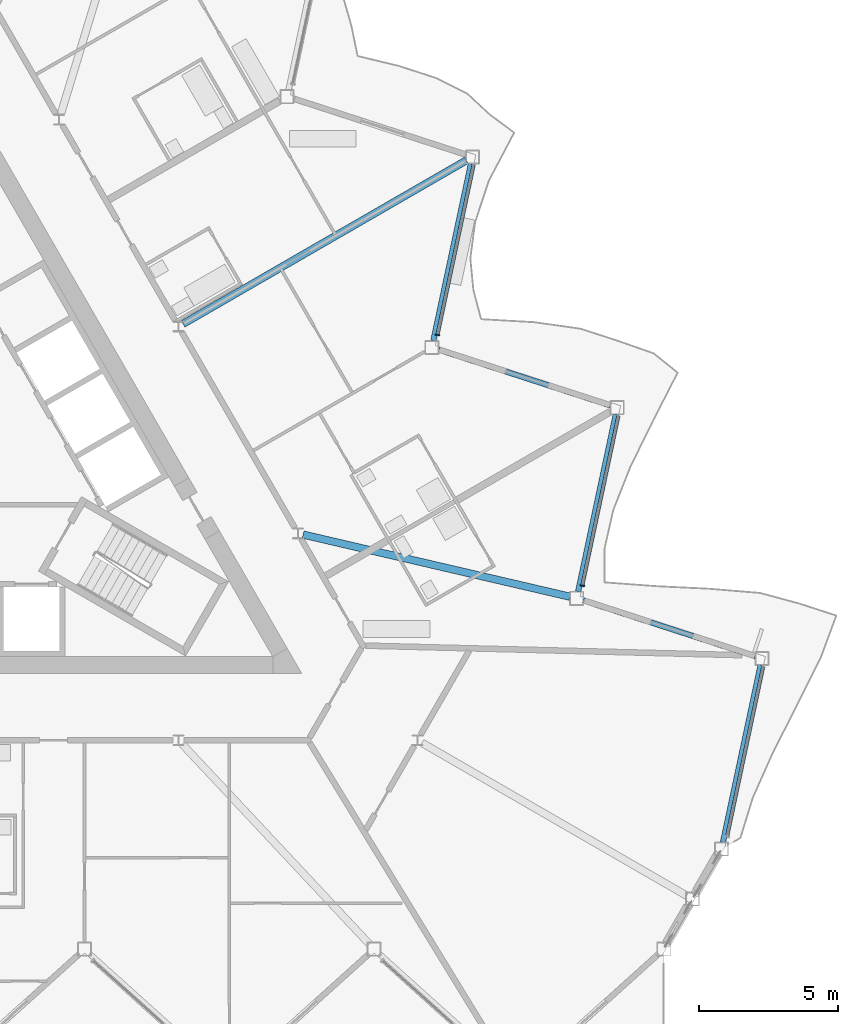
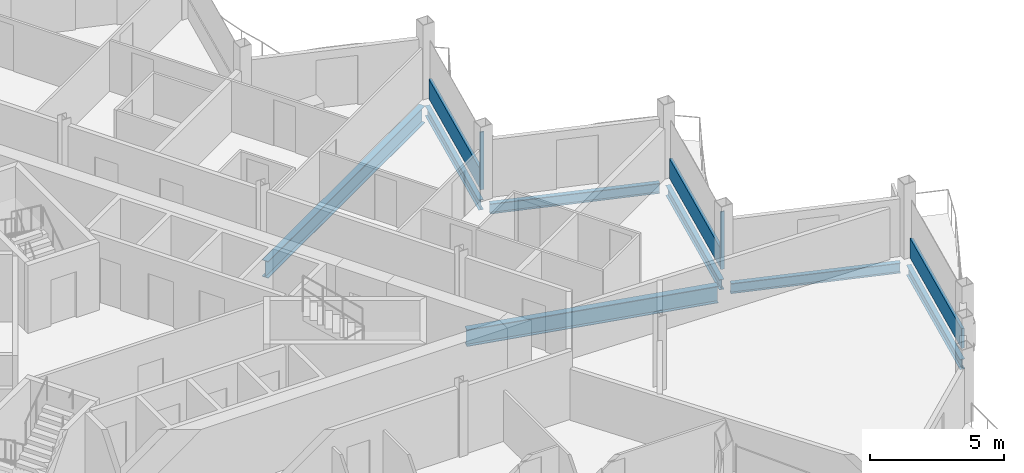
# One storey, part 8 of 26: 7 beams, 5 members, 3 elements without a shape of their own.
"""IFC4 building model written with IfcOpenShell, lengths in metres."""

import ifcopenshell
import ifcopenshell.guid

model = None  # the IFC model being written
_history = None  # IfcOwnerHistory: only IFC2X3 demands one
_inside = {}  # id of a spatial element -> (the spatial element, [elements in it])
_under = {}  # id of a project, library or spatial element -> (it, [spatial elements below it])
_declared = {}  # id of a project -> (the project, [libraries it declares])
_typed = {}  # id of a type object -> (the type object, [elements of that type])
_made_of = {}  # id of a material, layer set ... -> (it, [elements and type objects made of it])


def new_model(schema):
    """Start an empty IFC model of exactly this schema.

    Asked for "IFC4X3", IfcOpenShell would pick the latest addendum, in which some entities
    have other attributes; the version numbers below select the first issue.
    IFC2X3 requires an IfcOwnerHistory on every rooted entity: one is made here for all.
    """
    global model, _history
    if schema == "IFC4X3":
        model = ifcopenshell.file(schema_version=(4, 3, 0, 0))
    else:
        model = ifcopenshell.file(schema=schema)
    _inside.clear()
    _under.clear()
    _declared.clear()
    _typed.clear()
    _made_of.clear()
    _history = None
    if model.schema == "IFC2X3":
        org = make("IfcOrganization", Name="unknown")
        user = make(
            "IfcPersonAndOrganization",
            ThePerson=make("IfcPerson", FamilyName="unknown"),
            TheOrganization=org,
        )
        app = make(
            "IfcApplication",
            ApplicationDeveloper=org,
            Version="unknown",
            ApplicationFullName="unknown",
            ApplicationIdentifier="unknown",
        )
        _history = make(
            "IfcOwnerHistory",
            OwningUser=user,
            OwningApplication=app,
            ChangeAction="ADDED",
            CreationDate=0,
        )
    return model


def make(cls, **values):
    """One entity of the class cls with the attributes given. An attribute that is None is left unset."""
    return model.create_entity(
        cls, **{name: value for name, value in values.items() if value is not None}
    )


def rooted(cls, **values):
    """An entity with a GlobalId (a new one), such as an element, a storey or a relation."""
    return make(cls, GlobalId=ifcopenshell.guid.new(), OwnerHistory=_history, **values)


def si_unit(unit_type, name, prefix=None):
    """IfcSIUnit, for example si_unit("LENGTHUNIT", "METRE", prefix="MILLI")."""
    return make("IfcSIUnit", UnitType=unit_type, Prefix=prefix, Name=name)


def assignment(units):
    """IfcUnitAssignment: the units of a project."""
    return None if units is None else make("IfcUnitAssignment", Units=units)


def point(xyz):
    """IfcCartesianPoint."""
    return None if xyz is None else make("IfcCartesianPoint", Coordinates=xyz)


def direction(xyz):
    """IfcDirection."""
    return None if xyz is None else make("IfcDirection", DirectionRatios=xyz)


def frame(location, z_axis=None, x_axis=None):
    """IfcAxis2Placement3D, a coordinate frame: its origin and axes. An axis left out is left unset."""
    return make(
        "IfcAxis2Placement3D",
        Location=point(location),
        Axis=direction(z_axis),
        RefDirection=direction(x_axis),
    )


def frame_2d(location, x_axis=None):
    """IfcAxis2Placement2D, a coordinate frame in the plane: its origin and x axis."""
    return make(
        "IfcAxis2Placement2D", Location=point(location), RefDirection=direction(x_axis)
    )


def origin():
    """The frame at (0, 0, 0) with its axes left unset."""
    return frame((0.0, 0.0, 0.0))


def origin_2d():
    """The frame at (0, 0) in the plane with its x axis left unset."""
    return frame_2d((0.0, 0.0))


def place(relative_to, where):
    """IfcLocalPlacement: puts the frame where relative to a parent placement (None: the world)."""
    return make(
        "IfcLocalPlacement", PlacementRelTo=relative_to, RelativePlacement=where
    )


def context(
    kind, dimensions, precision=None, world=None, true_north=None, identifier=None
):
    """IfcGeometricRepresentationContext, for example the 3D "Model" context."""
    return make(
        "IfcGeometricRepresentationContext",
        ContextIdentifier=identifier,
        ContextType=kind,
        CoordinateSpaceDimension=dimensions,
        Precision=precision,
        WorldCoordinateSystem=world,
        TrueNorth=true_north,
    )


def subcontext(parent, identifier, kind, view, scale=None):
    """IfcGeometricRepresentationSubContext, for example "Body" below "Model"."""
    return make(
        "IfcGeometricRepresentationSubContext",
        ContextIdentifier=identifier,
        ContextType=kind,
        ParentContext=parent,
        TargetScale=scale,
        TargetView=view,
    )


def project(units=None, contexts=None):
    """IfcProject with its units and contexts."""
    return rooted(
        "IfcProject",
        Name="project",
        RepresentationContexts=contexts,
        UnitsInContext=assignment(units),
    )


def spatial(cls, under=None, at=None, **own):
    """A site, building, storey or space (cls), placed at a placement, below another one or the project."""
    s = rooted(cls, ObjectPlacement=at, **own)
    if under is not None:
        _under.setdefault(under.id(), (under, []))[1].append(s)
    return s


def profile(cls, at=None, kind="AREA", **sizes):
    """A parametric profile (cls). Its sizes go by their IFC names, for example OverallWidth=200.0."""
    return make(cls, ProfileType=kind, Position=at, **sizes)


def rectangle(**sizes):
    """IfcRectangleProfileDef."""
    return profile("IfcRectangleProfileDef", **sizes)


def i_section(**sizes):
    """IfcIShapeProfileDef."""
    return profile("IfcIShapeProfileDef", **sizes)


def extrude(swept, where, along, depth):
    """IfcExtrudedAreaSolid: the profile swept, set in the frame where, extruded along a direction by depth."""
    return make(
        "IfcExtrudedAreaSolid",
        SweptArea=swept,
        Position=where,
        ExtrudedDirection=direction(along),
        Depth=depth,
    )


def shape(context_of_items, identifier, shape_type, items):
    """IfcShapeRepresentation: the items that make up one representation, for example the "Body"."""
    return make(
        "IfcShapeRepresentation",
        ContextOfItems=context_of_items,
        RepresentationIdentifier=identifier,
        RepresentationType=shape_type,
        Items=items,
    )


def material(Name=None, Category=None):
    """IfcMaterial."""
    return make("IfcMaterial", Name=Name, Category=Category)


def layer(
    of_material, thickness, ventilated=None, Name=None, Category=None, Priority=None
):
    """IfcMaterialLayer: one layer of a wall or slab, of a material (None: an air gap)."""
    return make(
        "IfcMaterialLayer",
        Material=of_material,
        LayerThickness=thickness,
        IsVentilated=ventilated,
        Name=Name,
        Category=Category,
        Priority=Priority,
    )


def layer_set(layers, Name=None):
    """IfcMaterialLayerSet."""
    return make("IfcMaterialLayerSet", MaterialLayers=layers, LayerSetName=Name)


def material_profile(
    of_material, cross_section, Name=None, Category=None, Priority=None
):
    """IfcMaterialProfile: a cross section and its material."""
    return make(
        "IfcMaterialProfile",
        Name=Name,
        Material=of_material,
        Profile=cross_section,
        Priority=Priority,
        Category=Category,
    )


def profile_set(profiles, Name=None, composite=None):
    """IfcMaterialProfileSet."""
    return make(
        "IfcMaterialProfileSet",
        Name=Name,
        MaterialProfiles=profiles,
        CompositeProfile=composite,
    )


def made_of(thing, what):
    """Note that an element or type object is made of a material, layer set ...; save() writes the relation."""
    if what is not None:
        _made_of.setdefault(what.id(), (what, []))[1].append(thing)
    return thing


def type_object(cls, material=None, **own):
    """A type object (cls), such as IfcWallType, which elements share."""
    return made_of(rooted(cls, **own), material)


def element(
    cls,
    number,
    at=None,
    inside=None,
    cuts=None,
    type_object=None,
    material=None,
    context=None,
    identifier="Body",
    shape_type=None,
    held_by="IfcProductDefinitionShape",
    body=None,
    shapes=None,
    **own,
):
    """One element of the class cls, such as IfcWall. Its Tag is "e" and its number.

    at: its placement. inside: the storey or other place that contains it. cuts: it is an
    opening in that element (IfcRelVoidsElement). A single representation is given by context,
    identifier, shape_type and body (its items); several are given by shapes. held_by: the class
    of the entity that holds the representations. save() writes the other relations.
    """
    e = rooted(cls, Tag="e%d" % number, ObjectPlacement=at, **own)
    if body is not None:
        shapes = [shape(context, identifier, shape_type, body)]
    if shapes is not None:
        e.Representation = make(held_by, Representations=shapes)
    if inside is not None:
        _inside.setdefault(inside.id(), (inside, []))[1].append(e)
    if cuts is not None:
        rooted(
            "IfcRelVoidsElement", RelatingBuildingElement=cuts, RelatedOpeningElement=e
        )
    if type_object is not None:
        _typed.setdefault(type_object.id(), (type_object, []))[1].append(e)
    return made_of(e, material)


def aggregate(whole, parts):
    """IfcRelAggregates: a whole, such as a stair, and the parts it consists of."""
    return rooted("IfcRelAggregates", RelatingObject=whole, RelatedObjects=parts)


def save(model, path):
    """Write the relations noted so far, then the file.

    IfcRelAggregates (storeys below a building ...), IfcRelContainedInSpatialStructure (elements
    in a storey), IfcRelDefinesByType, IfcRelAssociatesMaterial and IfcRelDeclares: one each for
    every whole, place, type object, material and project.
    """
    for whole, parts in _under.values():
        aggregate(whole, parts)
    for where, things in _inside.values():
        rooted(
            "IfcRelContainedInSpatialStructure",
            RelatedElements=things,
            RelatingStructure=where,
        )
    for kind, things in _typed.values():
        rooted("IfcRelDefinesByType", RelatedObjects=things, RelatingType=kind)
    for what, things in _made_of.values():
        rooted("IfcRelAssociatesMaterial", RelatedObjects=things, RelatingMaterial=what)
    for by, libraries in _declared.values():
        rooted("IfcRelDeclares", RelatingContext=by, RelatedDefinitions=libraries)
    model.write(path)


model = new_model("IFC4")

# Units and contexts
model_context = context("Model", 3, precision=1e-05, world=origin(), true_north=direction((0.0, 1.0)))
body_context = subcontext(model_context, "Body", "Model", "MODEL_VIEW")
ifc_project = project(units=[si_unit("LENGTHUNIT", "METRE"), si_unit("AREAUNIT", "SQUARE_METRE"), si_unit("VOLUMEUNIT", "CUBIC_METRE"), si_unit("PLANEANGLEUNIT", "RADIAN"), si_unit("MASSUNIT", "GRAM", prefix="KILO")], contexts=[model_context])

# Site, building, storey
site_placement = place(None, origin())
site = spatial("IfcSite", under=ifc_project, at=site_placement, CompositionType="ELEMENT")
building_placement = place(site_placement, origin())
building = spatial("IfcBuilding", under=site, at=building_placement, Name="Cormorant Prow Tower", CompositionType="ELEMENT")
storey_placement = place(building_placement, frame((0.0, 0.0, 398.39990234375)))
storey = spatial("IfcBuildingStorey", under=building, at=storey_placement, Name="L91", CompositionType="ELEMENT", Elevation=398.39990234375)

# Beams
ifc_material_1 = material(Name="Structural steel ASTM A992 Gr 50", Category="steel")
ifc_material_profile_1 = material_profile(ifc_material_1, i_section(OverallWidth=0.267822265625, OverallDepth=0.77001953125, WebThickness=0.015625, FlangeThickness=0.025390625, at=origin_2d()), Name="W30x132")
ifc_profile_set_1 = profile_set([ifc_material_profile_1], Name="Structural steel ASTM A992 Gr 50")
beam_type_1 = type_object("IfcBeamType", Name="Radial floor beam W30x132", PredefinedType="BEAM", material=ifc_profile_set_1)
beam_1_placement = place(storey_placement, frame((13.0498046875, -2.518798828125, -0.684814453125), z_axis=(0.973926084128, -0.226865560752, 0.0), x_axis=(0.226865560752, 0.973926084128, 0.0)))
element("IfcBeam", 1, at=beam_1_placement, inside=storey, type_object=beam_type_1, Name="Radial floor beam FB3 10 L91", PredefinedType="BEAM", context=body_context, shape_type="SweptSolid", body=[
    extrude(i_section(OverallWidth=0.267822265625, OverallDepth=0.77001953125, WebThickness=0.015625, FlangeThickness=0.025390625, at=origin_2d()), origin(), (0.0, 0.0, 1.0), 9.837158203125),
])
beam_2_placement = place(storey_placement, frame((8.740478515625, 5.04638671875, -0.684814453125), z_axis=(0.866026702285, 0.499997750924, 0.0), x_axis=(-0.499997750924, 0.866026702285, 0.0)))
element("IfcBeam", 2, at=beam_2_placement, inside=storey, type_object=beam_type_1, Name="Radial floor beam FB3 11 L91", PredefinedType="BEAM", context=body_context, shape_type="SweptSolid", body=[
    extrude(i_section(OverallWidth=0.267822265625, OverallDepth=0.77001953125, WebThickness=0.015625, FlangeThickness=0.025390625, at=origin_2d()), origin(), (0.0, 0.0, 1.0), 11.7451171875),
])

# Curtain wall, member
ifc_material_2 = material(Name="Aluminium 6063-T6", Category="aluminium")
ifc_layer = layer(ifc_material_2, 0.159912109375)
ifc_layer_set = layer_set([ifc_layer], Name="Aluminium 6063-T6")
curtain_wall_type = type_object("IfcCurtainWallType", Name="Residential unitised curtain wall 160", PredefinedType="NOTDEFINED", material=ifc_layer_set)
curtain_wall_1_placement = place(storey_placement, origin())
curtain_wall_1 = element("IfcCurtainWall", 3, at=curtain_wall_1_placement, inside=storey, type_object=curtain_wall_type, Name="Residential curtain wall ENE02", PredefinedType="NOTDEFINED")
ifc_material_3 = material(Name="Aluminium 6063-T6", Category="aluminium")
ifc_material_profile_2 = material_profile(ifc_material_3, rectangle(XDim=0.159912109375, YDim=0.050048828125, at=origin_2d()), Name="Residential mullion 50x160")
ifc_profile_set_2 = profile_set([ifc_material_profile_2], Name="Aluminium 6063-T6")
member_type_1 = type_object("IfcMemberType", Name="Residential mullion 50x160", PredefinedType="MULLION", material=ifc_profile_set_2)
member_1_placement = place(storey_placement, frame((23.0791015625, -4.35302734375, 0.0), z_axis=(0.0, 0.0, 1.0), x_axis=(-0.978147609588, 0.207911649162, 0.0)))
member_1 = element("IfcMember", 4, at=member_1_placement, type_object=member_type_1, Name="Residential mullion ENE02", PredefinedType="MULLION", context=body_context, shape_type="SweptSolid", body=[
    extrude(rectangle(XDim=0.159912109375, YDim=0.050048828125, at=origin_2d()), origin(), (0.0, 0.0, 1.0), 2.634033203125),
])

curtain_wall_2_placement = place(storey_placement, origin())
curtain_wall_2 = element("IfcCurtainWall", 5, at=curtain_wall_2_placement, inside=storey, type_object=curtain_wall_type, Name="Residential curtain wall ENE04", PredefinedType="NOTDEFINED")
member_2_placement = place(storey_placement, frame((17.879150390625, 4.653564453125, 0.0), z_axis=(0.0, 0.0, 1.0), x_axis=(-0.978147609588, 0.207911649162, 0.0)))
member_2 = element("IfcMember", 6, at=member_2_placement, type_object=member_type_1, Name="Residential mullion ENE04", PredefinedType="MULLION", context=body_context, shape_type="SweptSolid", body=[
    extrude(rectangle(XDim=0.159912109375, YDim=0.050048828125, at=origin_2d()), origin(), (0.0, 0.0, 1.0), 2.634033203125),
])

curtain_wall_3_placement = place(storey_placement, origin())
curtain_wall_3 = element("IfcCurtainWall", 7, at=curtain_wall_3_placement, inside=storey, type_object=curtain_wall_type, Name="Residential curtain wall ENE00", PredefinedType="NOTDEFINED")
ifc_material_4 = material(Name="Terracotta", Category="masonry")
ifc_material_profile_3 = material_profile(ifc_material_4, rectangle(XDim=0.1201171875, YDim=0.89990234375, at=origin_2d()), Name="Residential terracotta spandrel rail 120x900")
ifc_profile_set_3 = profile_set([ifc_material_profile_3], Name="Terracotta")
member_type_2 = type_object("IfcMemberType", Name="Residential terracotta spandrel rail 120x900", PredefinedType="USERDEFINED", material=ifc_profile_set_3)
member_3_placement = place(storey_placement, frame((28.2841796875, -13.335205078125, 0.4501953125), z_axis=(0.207916541247, 0.978146569731, 0.0), x_axis=(-0.978146569731, 0.207916541247, 0.0)))
member_3 = element("IfcMember", 8, at=member_3_placement, type_object=member_type_2, Name="Residential spandrel rail ENE00", ObjectType="TRANSOM", PredefinedType="USERDEFINED", context=body_context, shape_type="SweptSolid", body=[
    extrude(rectangle(XDim=0.1201171875, YDim=0.89990234375, at=origin_2d()), origin(), (0.0, 0.0, 1.0), 6.215087890625),
])
aggregate(curtain_wall_3, [member_3])

# Member
member_4_placement = place(storey_placement, frame((23.084228515625, -4.32861328125, 0.4501953125), z_axis=(0.207916541247, 0.978146569731, 0.0), x_axis=(-0.978146569731, 0.207916541247, 0.0)))
member_4 = element("IfcMember", 9, at=member_4_placement, type_object=member_type_2, Name="Residential spandrel rail ENE02", ObjectType="TRANSOM", PredefinedType="USERDEFINED", context=body_context, shape_type="SweptSolid", body=[
    extrude(rectangle(XDim=0.1201171875, YDim=0.89990234375, at=origin_2d()), origin(), (0.0, 0.0, 1.0), 6.215087890625),
])

aggregate(curtain_wall_1, [member_1, member_4])

member_5_placement = place(storey_placement, frame((17.88427734375, 4.677978515625, 0.4501953125), z_axis=(0.207908552773, 0.978148267741, 0.0), x_axis=(-0.978148267741, 0.207908552773, 0.0)))
member_5 = element("IfcMember", 10, at=member_5_placement, type_object=member_type_2, Name="Residential spandrel rail ENE04", ObjectType="TRANSOM", PredefinedType="USERDEFINED", context=body_context, shape_type="SweptSolid", body=[
    extrude(rectangle(XDim=0.1201171875, YDim=0.89990234375, at=origin_2d()), origin(), (0.0, 0.0, 1.0), 6.21533203125),
])

aggregate(curtain_wall_2, [member_2, member_5])

# Beams
ifc_material_5 = material(Name="Structural steel ASTM A992 Gr 50", Category="steel")
ifc_material_profile_4 = material_profile(ifc_material_5, i_section(OverallWidth=0.19287109375, OverallDepth=0.466064453125, WebThickness=0.011474609375, FlangeThickness=0.01904296875, at=origin_2d()), Name="W18x65")
ifc_profile_set_4 = profile_set([ifc_material_profile_4], Name="Structural steel ASTM A992 Gr 50")
beam_type_2 = type_object("IfcBeamType", Name="Spandrel beam W18x65", PredefinedType="SPANDREL", material=ifc_profile_set_4)
beam_3_placement = place(storey_placement, frame((28.125732421875, -13.5693359375, -0.532958984375), z_axis=(0.207901897373, 0.978149682344, 0.0), x_axis=(-0.978149682344, 0.207901897373, 0.0)))
element("IfcBeam", 11, at=beam_3_placement, inside=storey, type_object=beam_type_2, Name="Spandrel beam SB4 ENE00-ENE01 L91", PredefinedType="SPANDREL", context=body_context, shape_type="SweptSolid", body=[
    extrude(i_section(OverallWidth=0.19287109375, OverallDepth=0.466064453125, WebThickness=0.011474609375, FlangeThickness=0.01904296875, at=origin_2d()), origin(), (0.0, 0.0, 1.0), 6.49755859375),
])
for number, where, z_axis, x_axis, name in (
    (12, (29.290771484375, -6.89208984375, -0.532958984375), (-0.951053396625, 0.309026595569, 0.0), (-0.309026595569, -0.951053396625, 0.0), "Spandrel beam SB4 ENE01-ENE02 L91"),
    (13, (22.92578125, -4.5625, -0.532958984375), (0.207909538847, 0.978148058147, 0.0), (-0.978148058147, 0.207909538847, 0.0), "Spandrel beam SB4 ENE02-ENE03 L91"),
    (14, (24.0908203125, 2.114501953125, -0.532958984375), (-0.951053396625, 0.309026595569, 0.0), (-0.309026595569, -0.951053396625, 0.0), "Spandrel beam SB4 ENE03-ENE04 L91"),
    (15, (17.725830078125, 4.444091796875, -0.532958984375), (0.207909538847, 0.978148058147, 0.0), (-0.978148058147, 0.207909538847, 0.0), "Spandrel beam SB4 ENE04-ENE05 L91"),
):
    element("IfcBeam", number, at=place(storey_placement, frame(where, z_axis=z_axis, x_axis=x_axis)), inside=storey, type_object=beam_type_2, Name=name, PredefinedType="SPANDREL", context=body_context, shape_type="SweptSolid", body=[
        extrude(i_section(OverallWidth=0.19287109375, OverallDepth=0.466064453125, WebThickness=0.011474609375, FlangeThickness=0.01904296875, at=origin_2d()), origin(), (0.0, 0.0, 1.0), 6.497314453125),
    ])

save(model, "model.ifc")
